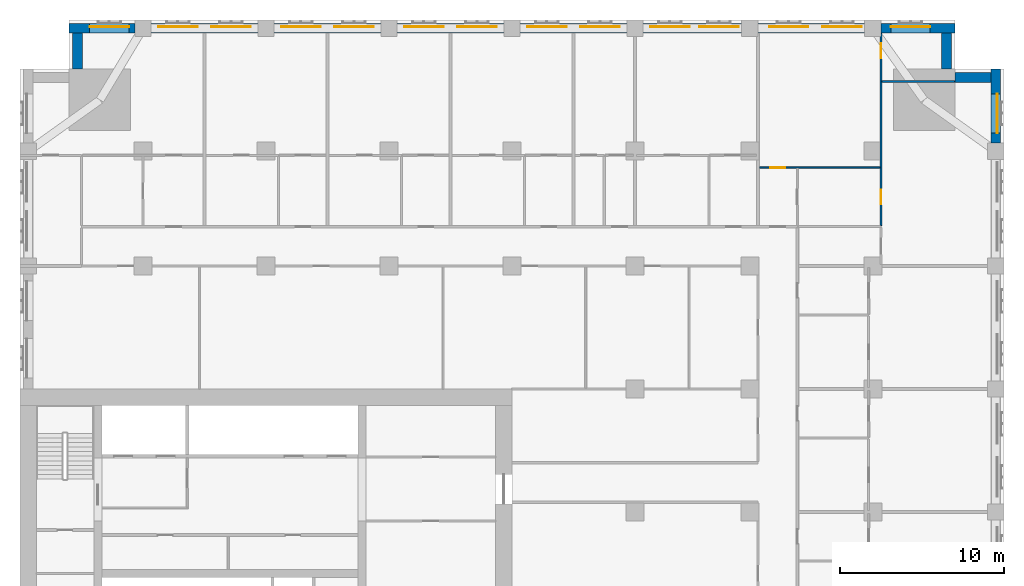
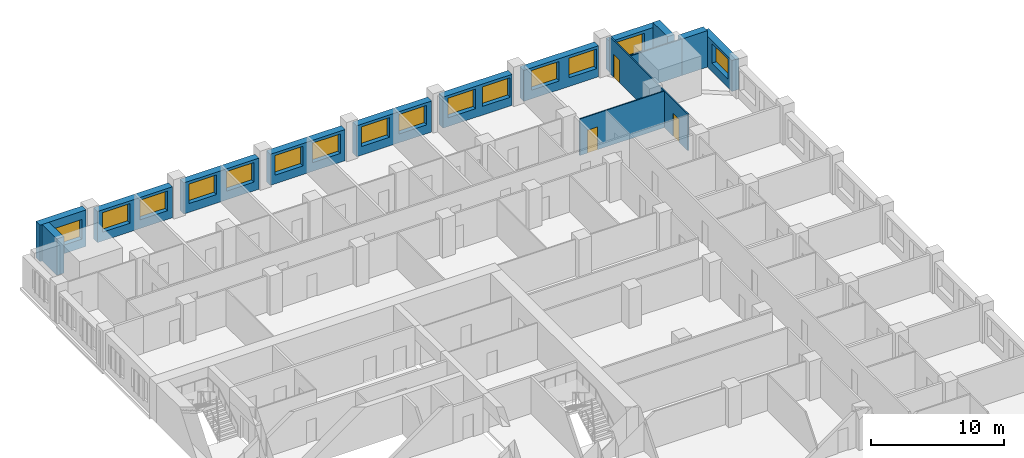
# One storey, part 11 of 14: 15 walls, 15 windows, 3 doors, 18 openings.
"""IFC4 building model written with IfcOpenShell, lengths in metres."""

from ifc_helpers import new_model, si_unit, direction, frame, frame_2d, origin, place, context, subcontext, project, spatial, rectangle, extrude, material, layer, layer_set, type_object, element, fill, save


model = new_model("IFC4")

# Units and contexts
model_context = context("Model", 3, precision=1e-05, world=origin(), true_north=direction((0.0, 1.0)))
body_context = subcontext(model_context, "Body", "Model", "MODEL_VIEW")
ifc_project = project(units=[si_unit("LENGTHUNIT", "METRE"), si_unit("AREAUNIT", "SQUARE_METRE"), si_unit("VOLUMEUNIT", "CUBIC_METRE"), si_unit("PLANEANGLEUNIT", "RADIAN"), si_unit("MASSUNIT", "GRAM", prefix="KILO")], contexts=[model_context])

# Site, building, storey
site_placement = place(None, origin())
site = spatial("IfcSite", under=ifc_project, at=site_placement, CompositionType="ELEMENT")
building_placement = place(site_placement, origin())
building = spatial("IfcBuilding", under=site, at=building_placement, Name="Tamorin Gate", CompositionType="ELEMENT")
storey_placement = place(building_placement, frame((0.0, 0.0, 100.699951171875)))
storey = spatial("IfcBuildingStorey", under=building, at=storey_placement, Name="L24", CompositionType="ELEMENT", Elevation=100.699951171875)

# Wall, opening, window
ifc_material_1 = material(Name="Precast concrete C40/50", Category="concrete")
ifc_layer_1 = layer(ifc_material_1, 0.60009765625)
ifc_layer_set_1 = layer_set([ifc_layer_1], Name="Precast concrete C40/50")
wall_type_1 = type_object("IfcWallType", Name="Board-marked concrete facade panel 600", PredefinedType="SOLIDWALL", material=ifc_layer_set_1)
wall_1_placement = place(storey_placement, frame((89.5, 97.5, 0.0), z_axis=(0.0, 0.0, 1.0), x_axis=(0.0, 1.0, 0.0)))
wall_1 = element("IfcWall", 1, at=wall_1_placement, inside=storey, type_object=wall_type_1, Name="Facade panel", PredefinedType="SOLIDWALL", context=body_context, shape_type="SweptSolid", body=[
    extrude(rectangle(XDim=4.5, YDim=0.60009765625, at=frame_2d((2.25, 0.0))), origin(), (0.0, 0.0, 1.0), 2.85009765625),
])
opening_1_placement = place(wall_1_placement, frame((0.60009765625, 0.0, 0.800048828125)))
opening_1 = element("IfcOpeningElement", 2, at=opening_1_placement, cuts=wall_1, Name="Opening WN1", PredefinedType="OPENING", context=body_context, shape_type="SweptSolid", body=[
    extrude(rectangle(XDim=2.39990234375, YDim=1.800048828125, at=frame_2d((1.199951171875, 0.89990234375))), frame((0.0, 0.31005859375, 0.0), z_axis=(0.0, -1.0, 0.0), x_axis=(1.0, 0.0, 0.0)), (0.0, 0.0, 1.0), 0.6201171875),
])
ifc_material_2 = material(Name="Clear glass in aluminium frame", Category="aluminium")
window_type = type_object("IfcWindowType", Name="Deep-set window 2400x1800", PartitioningType="SINGLE_PANEL", PredefinedType="WINDOW", material=ifc_material_2)
window_1_placement = place(opening_1_placement, origin())
window_1 = element("IfcWindow", 3, at=window_1_placement, inside=storey, type_object=window_type, Name="Deep-set window", OverallHeight=1.800048828125, OverallWidth=2.39990234375, PartitioningType="SINGLE_PANEL", PredefinedType="WINDOW", context=body_context, shape_type="SweptSolid", body=[
    extrude(rectangle(XDim=2.39990234375, YDim=1.800048828125, at=frame_2d((1.199951171875, 0.89990234375))), frame((0.0, -0.070068359375, 0.0), z_axis=(0.0, -1.0, 0.0), x_axis=(1.0, 0.0, 0.0)), (0.0, 0.0, 1.0), 0.06005859375),
])
fill(opening_1, window_1)

# Walls
for number, where, z_axis, x_axis, name in (
    (4, (89.199951171875, 101.5, 0.0), (0.0, 0.0, 1.0), (-1.0, 0.0, 0.0), "Facade panel"),
    (5, (86.5, 102.0, 0.0), (0.0, 0.0, 1.0), (0.0, 1.0, 0.0), "Facade panel"),
):
    element("IfcWall", number, at=place(storey_placement, frame(where, z_axis=z_axis, x_axis=x_axis)), inside=storey, type_object=wall_type_1, Name=name, PredefinedType="SOLIDWALL", context=body_context, shape_type="SweptSolid", body=[
        extrude(rectangle(XDim=2.199951171875, YDim=0.60009765625, at=frame_2d((1.10009765625, 0.0))), origin(), (0.0, 0.0, 1.0), 3.35009765625),
    ])

# Wall, opening, window
wall_2_placement = place(storey_placement, frame((87.0, 104.5, 0.0), z_axis=(0.0, 0.0, 1.0), x_axis=(-1.0, 0.0, 0.0)))
wall_2 = element("IfcWall", 6, at=wall_2_placement, inside=storey, type_object=wall_type_1, Name="Facade panel", PredefinedType="SOLIDWALL", context=body_context, shape_type="SweptSolid", body=[
    extrude(rectangle(XDim=4.5, YDim=0.60009765625, at=frame_2d((2.25, 0.0))), origin(), (0.0, 0.0, 1.0), 2.85009765625),
])
opening_2_placement = place(wall_2_placement, frame((1.5, 0.0, 0.800048828125)))
opening_2 = element("IfcOpeningElement", 7, at=opening_2_placement, cuts=wall_2, Name="Opening WN1", PredefinedType="OPENING", context=body_context, shape_type="SweptSolid", body=[
    extrude(rectangle(XDim=2.39990234375, YDim=1.800048828125, at=frame_2d((1.199951171875, 0.89990234375))), frame((0.0, 0.31005859375, 0.0), z_axis=(0.0, -1.0, 0.0), x_axis=(1.0, 0.0, 0.0)), (0.0, 0.0, 1.0), 0.6201171875),
])
window_2_placement = place(opening_2_placement, origin())
window_2 = element("IfcWindow", 8, at=window_2_placement, inside=storey, type_object=window_type, Name="Deep-set window", OverallHeight=1.800048828125, OverallWidth=2.39990234375, PartitioningType="SINGLE_PANEL", PredefinedType="WINDOW", context=body_context, shape_type="SweptSolid", body=[
    extrude(rectangle(XDim=2.39990234375, YDim=1.800048828125, at=frame_2d((1.199951171875, 0.89990234375))), frame((0.0, -0.070068359375, 0.0), z_axis=(0.0, -1.0, 0.0), x_axis=(1.0, 0.0, 0.0)), (0.0, 0.0, 1.0), 0.06005859375),
])
fill(opening_2, window_2)

# Wall, openings, windows
wall_3_placement = place(storey_placement, frame((81.5, 104.5, 0.0), z_axis=(0.0, 0.0, 1.0), x_axis=(-1.0, 0.0, 0.0)))
wall_3 = element("IfcWall", 9, at=wall_3_placement, inside=storey, type_object=wall_type_1, Name="Facade panel", PredefinedType="SOLIDWALL", context=body_context, shape_type="SweptSolid", body=[
    extrude(rectangle(XDim=6.5, YDim=0.60009765625, at=frame_2d((3.25, 0.0))), origin(), (0.0, 0.0, 1.0), 2.85009765625),
])
opening_3_placement = place(wall_3_placement, frame((3.425048828125, 0.0, 0.800048828125)))
opening_3 = element("IfcOpeningElement", 10, at=opening_3_placement, cuts=wall_3, Name="Opening WN1", PredefinedType="OPENING", context=body_context, shape_type="SweptSolid", body=[
    extrude(rectangle(XDim=2.39990234375, YDim=1.800048828125, at=frame_2d((1.199951171875, 0.89990234375))), frame((0.0, 0.31005859375, 0.0), z_axis=(0.0, -1.0, 0.0), x_axis=(1.0, 0.0, 0.0)), (0.0, 0.0, 1.0), 0.6201171875),
])
opening_4_placement = place(wall_3_placement, frame((0.175048828125, 0.0, 0.800048828125)))
opening_4 = element("IfcOpeningElement", 11, at=opening_4_placement, cuts=wall_3, Name="Opening WN1", PredefinedType="OPENING", context=body_context, shape_type="SweptSolid", body=[
    extrude(rectangle(XDim=2.39990234375, YDim=1.800048828125, at=frame_2d((1.199951171875, 0.89990234375))), frame((0.0, 0.31005859375, 0.0), z_axis=(0.0, -1.0, 0.0), x_axis=(1.0, 0.0, 0.0)), (0.0, 0.0, 1.0), 0.6201171875),
])
window_3_placement = place(opening_3_placement, origin())
window_3 = element("IfcWindow", 12, at=window_3_placement, inside=storey, type_object=window_type, Name="Deep-set window", OverallHeight=1.800048828125, OverallWidth=2.39990234375, PartitioningType="SINGLE_PANEL", PredefinedType="WINDOW", context=body_context, shape_type="SweptSolid", body=[
    extrude(rectangle(XDim=2.39990234375, YDim=1.800048828125, at=frame_2d((1.199951171875, 0.89990234375))), frame((0.0, -0.070068359375, 0.0), z_axis=(0.0, -1.0, 0.0), x_axis=(1.0, 0.0, 0.0)), (0.0, 0.0, 1.0), 0.06005859375),
])
fill(opening_3, window_3)
window_4_placement = place(opening_4_placement, origin())
window_4 = element("IfcWindow", 13, at=window_4_placement, inside=storey, type_object=window_type, Name="Deep-set window", OverallHeight=1.800048828125, OverallWidth=2.39990234375, PartitioningType="SINGLE_PANEL", PredefinedType="WINDOW", context=body_context, shape_type="SweptSolid", body=[
    extrude(rectangle(XDim=2.39990234375, YDim=1.800048828125, at=frame_2d((1.199951171875, 0.89990234375))), frame((0.0, -0.070068359375, 0.0), z_axis=(0.0, -1.0, 0.0), x_axis=(1.0, 0.0, 0.0)), (0.0, 0.0, 1.0), 0.06005859375),
])
fill(opening_4, window_4)

wall_4_placement = place(storey_placement, frame((74.0, 104.5, 0.0), z_axis=(0.0, 0.0, 1.0), x_axis=(-1.0, 0.0, 0.0)))
wall_4 = element("IfcWall", 14, at=wall_4_placement, inside=storey, type_object=wall_type_1, Name="Facade panel", PredefinedType="SOLIDWALL", context=body_context, shape_type="SweptSolid", body=[
    extrude(rectangle(XDim=6.0, YDim=0.60009765625, at=frame_2d((3.0, 0.0))), origin(), (0.0, 0.0, 1.0), 2.85009765625),
])
opening_5_placement = place(wall_4_placement, frame((3.175048828125, 0.0, 0.800048828125)))
opening_5 = element("IfcOpeningElement", 15, at=opening_5_placement, cuts=wall_4, Name="Opening WN1", PredefinedType="OPENING", context=body_context, shape_type="SweptSolid", body=[
    extrude(rectangle(XDim=2.39990234375, YDim=1.800048828125, at=frame_2d((1.199951171875, 0.89990234375))), frame((0.0, 0.31005859375, 0.0), z_axis=(0.0, -1.0, 0.0), x_axis=(1.0, 0.0, 0.0)), (0.0, 0.0, 1.0), 0.6201171875),
])
opening_6_placement = place(wall_4_placement, frame((0.175048828125, 0.0, 0.800048828125)))
opening_6 = element("IfcOpeningElement", 16, at=opening_6_placement, cuts=wall_4, Name="Opening WN1", PredefinedType="OPENING", context=body_context, shape_type="SweptSolid", body=[
    extrude(rectangle(XDim=2.39990234375, YDim=1.800048828125, at=frame_2d((1.199951171875, 0.89990234375))), frame((0.0, 0.31005859375, 0.0), z_axis=(0.0, -1.0, 0.0), x_axis=(1.0, 0.0, 0.0)), (0.0, 0.0, 1.0), 0.6201171875),
])
window_5_placement = place(opening_5_placement, origin())
window_5 = element("IfcWindow", 17, at=window_5_placement, inside=storey, type_object=window_type, Name="Deep-set window", OverallHeight=1.800048828125, OverallWidth=2.39990234375, PartitioningType="SINGLE_PANEL", PredefinedType="WINDOW", context=body_context, shape_type="SweptSolid", body=[
    extrude(rectangle(XDim=2.39990234375, YDim=1.800048828125, at=frame_2d((1.199951171875, 0.89990234375))), frame((0.0, -0.070068359375, 0.0), z_axis=(0.0, -1.0, 0.0), x_axis=(1.0, 0.0, 0.0)), (0.0, 0.0, 1.0), 0.06005859375),
])
fill(opening_5, window_5)
window_6_placement = place(opening_6_placement, origin())
window_6 = element("IfcWindow", 18, at=window_6_placement, inside=storey, type_object=window_type, Name="Deep-set window", OverallHeight=1.800048828125, OverallWidth=2.39990234375, PartitioningType="SINGLE_PANEL", PredefinedType="WINDOW", context=body_context, shape_type="SweptSolid", body=[
    extrude(rectangle(XDim=2.39990234375, YDim=1.800048828125, at=frame_2d((1.199951171875, 0.89990234375))), frame((0.0, -0.070068359375, 0.0), z_axis=(0.0, -1.0, 0.0), x_axis=(1.0, 0.0, 0.0)), (0.0, 0.0, 1.0), 0.06005859375),
])
fill(opening_6, window_6)

wall_5_placement = place(storey_placement, frame((67.0, 104.5, 0.0), z_axis=(0.0, 0.0, 1.0), x_axis=(-1.0, 0.0, 0.0)))
wall_5 = element("IfcWall", 19, at=wall_5_placement, inside=storey, type_object=wall_type_1, Name="Facade panel", PredefinedType="SOLIDWALL", context=body_context, shape_type="SweptSolid", body=[
    extrude(rectangle(XDim=6.5, YDim=0.60009765625, at=frame_2d((3.25, 0.0))), origin(), (0.0, 0.0, 1.0), 2.85009765625),
])
opening_7_placement = place(wall_5_placement, frame((3.675048828125, 0.0, 0.800048828125)))
opening_7 = element("IfcOpeningElement", 20, at=opening_7_placement, cuts=wall_5, Name="Opening WN1", PredefinedType="OPENING", context=body_context, shape_type="SweptSolid", body=[
    extrude(rectangle(XDim=2.39990234375, YDim=1.800048828125, at=frame_2d((1.199951171875, 0.89990234375))), frame((0.0, 0.31005859375, 0.0), z_axis=(0.0, -1.0, 0.0), x_axis=(1.0, 0.0, 0.0)), (0.0, 0.0, 1.0), 0.6201171875),
])
opening_8_placement = place(wall_5_placement, frame((0.425048828125, 0.0, 0.800048828125)))
opening_8 = element("IfcOpeningElement", 21, at=opening_8_placement, cuts=wall_5, Name="Opening WN1", PredefinedType="OPENING", context=body_context, shape_type="SweptSolid", body=[
    extrude(rectangle(XDim=2.39990234375, YDim=1.800048828125, at=frame_2d((1.199951171875, 0.89990234375))), frame((0.0, 0.31005859375, 0.0), z_axis=(0.0, -1.0, 0.0), x_axis=(1.0, 0.0, 0.0)), (0.0, 0.0, 1.0), 0.6201171875),
])
window_7_placement = place(opening_7_placement, origin())
window_7 = element("IfcWindow", 22, at=window_7_placement, inside=storey, type_object=window_type, Name="Deep-set window", OverallHeight=1.800048828125, OverallWidth=2.39990234375, PartitioningType="SINGLE_PANEL", PredefinedType="WINDOW", context=body_context, shape_type="SweptSolid", body=[
    extrude(rectangle(XDim=2.39990234375, YDim=1.800048828125, at=frame_2d((1.199951171875, 0.89990234375))), frame((0.0, -0.070068359375, 0.0), z_axis=(0.0, -1.0, 0.0), x_axis=(1.0, 0.0, 0.0)), (0.0, 0.0, 1.0), 0.06005859375),
])
fill(opening_7, window_7)
window_8_placement = place(opening_8_placement, origin())
window_8 = element("IfcWindow", 23, at=window_8_placement, inside=storey, type_object=window_type, Name="Deep-set window", OverallHeight=1.800048828125, OverallWidth=2.39990234375, PartitioningType="SINGLE_PANEL", PredefinedType="WINDOW", context=body_context, shape_type="SweptSolid", body=[
    extrude(rectangle(XDim=2.39990234375, YDim=1.800048828125, at=frame_2d((1.199951171875, 0.89990234375))), frame((0.0, -0.070068359375, 0.0), z_axis=(0.0, -1.0, 0.0), x_axis=(1.0, 0.0, 0.0)), (0.0, 0.0, 1.0), 0.06005859375),
])
fill(opening_8, window_8)

wall_6_placement = place(storey_placement, frame((59.5, 104.5, 0.0), z_axis=(0.0, 0.0, 1.0), x_axis=(-1.0, 0.0, 0.0)))
wall_6 = element("IfcWall", 24, at=wall_6_placement, inside=storey, type_object=wall_type_1, Name="Facade panel", PredefinedType="SOLIDWALL", context=body_context, shape_type="SweptSolid", body=[
    extrude(rectangle(XDim=6.5, YDim=0.60009765625, at=frame_2d((3.25, 0.0))), origin(), (0.0, 0.0, 1.0), 2.85009765625),
])
opening_9_placement = place(wall_6_placement, frame((3.675048828125, 0.0, 0.800048828125)))
opening_9 = element("IfcOpeningElement", 25, at=opening_9_placement, cuts=wall_6, Name="Opening WN1", PredefinedType="OPENING", context=body_context, shape_type="SweptSolid", body=[
    extrude(rectangle(XDim=2.39990234375, YDim=1.800048828125, at=frame_2d((1.199951171875, 0.89990234375))), frame((0.0, 0.31005859375, 0.0), z_axis=(0.0, -1.0, 0.0), x_axis=(1.0, 0.0, 0.0)), (0.0, 0.0, 1.0), 0.6201171875),
])
opening_10_placement = place(wall_6_placement, frame((0.425048828125, 0.0, 0.800048828125)))
opening_10 = element("IfcOpeningElement", 26, at=opening_10_placement, cuts=wall_6, Name="Opening WN1", PredefinedType="OPENING", context=body_context, shape_type="SweptSolid", body=[
    extrude(rectangle(XDim=2.39990234375, YDim=1.800048828125, at=frame_2d((1.199951171875, 0.89990234375))), frame((0.0, 0.31005859375, 0.0), z_axis=(0.0, -1.0, 0.0), x_axis=(1.0, 0.0, 0.0)), (0.0, 0.0, 1.0), 0.6201171875),
])
window_9_placement = place(opening_9_placement, origin())
window_9 = element("IfcWindow", 27, at=window_9_placement, inside=storey, type_object=window_type, Name="Deep-set window", OverallHeight=1.800048828125, OverallWidth=2.39990234375, PartitioningType="SINGLE_PANEL", PredefinedType="WINDOW", context=body_context, shape_type="SweptSolid", body=[
    extrude(rectangle(XDim=2.39990234375, YDim=1.800048828125, at=frame_2d((1.199951171875, 0.89990234375))), frame((0.0, -0.070068359375, 0.0), z_axis=(0.0, -1.0, 0.0), x_axis=(1.0, 0.0, 0.0)), (0.0, 0.0, 1.0), 0.06005859375),
])
fill(opening_9, window_9)
window_10_placement = place(opening_10_placement, origin())
window_10 = element("IfcWindow", 28, at=window_10_placement, inside=storey, type_object=window_type, Name="Deep-set window", OverallHeight=1.800048828125, OverallWidth=2.39990234375, PartitioningType="SINGLE_PANEL", PredefinedType="WINDOW", context=body_context, shape_type="SweptSolid", body=[
    extrude(rectangle(XDim=2.39990234375, YDim=1.800048828125, at=frame_2d((1.199951171875, 0.89990234375))), frame((0.0, -0.070068359375, 0.0), z_axis=(0.0, -1.0, 0.0), x_axis=(1.0, 0.0, 0.0)), (0.0, 0.0, 1.0), 0.06005859375),
])
fill(opening_10, window_10)

wall_7_placement = place(storey_placement, frame((52.0, 104.5, 0.0), z_axis=(0.0, 0.0, 1.0), x_axis=(-1.0, 0.0, 0.0)))
wall_7 = element("IfcWall", 29, at=wall_7_placement, inside=storey, type_object=wall_type_1, Name="Facade panel", PredefinedType="SOLIDWALL", context=body_context, shape_type="SweptSolid", body=[
    extrude(rectangle(XDim=6.5, YDim=0.60009765625, at=frame_2d((3.25, 0.0))), origin(), (0.0, 0.0, 1.0), 2.85009765625),
])
opening_11_placement = place(wall_7_placement, frame((3.675048828125, 0.0, 0.800048828125)))
opening_11 = element("IfcOpeningElement", 30, at=opening_11_placement, cuts=wall_7, Name="Opening WN1", PredefinedType="OPENING", context=body_context, shape_type="SweptSolid", body=[
    extrude(rectangle(XDim=2.39990234375, YDim=1.800048828125, at=frame_2d((1.199951171875, 0.89990234375))), frame((0.0, 0.31005859375, 0.0), z_axis=(0.0, -1.0, 0.0), x_axis=(1.0, 0.0, 0.0)), (0.0, 0.0, 1.0), 0.6201171875),
])
opening_12_placement = place(wall_7_placement, frame((0.425048828125, 0.0, 0.800048828125)))
opening_12 = element("IfcOpeningElement", 31, at=opening_12_placement, cuts=wall_7, Name="Opening WN1", PredefinedType="OPENING", context=body_context, shape_type="SweptSolid", body=[
    extrude(rectangle(XDim=2.39990234375, YDim=1.800048828125, at=frame_2d((1.199951171875, 0.89990234375))), frame((0.0, 0.31005859375, 0.0), z_axis=(0.0, -1.0, 0.0), x_axis=(1.0, 0.0, 0.0)), (0.0, 0.0, 1.0), 0.6201171875),
])
window_11_placement = place(opening_11_placement, origin())
window_11 = element("IfcWindow", 32, at=window_11_placement, inside=storey, type_object=window_type, Name="Deep-set window", OverallHeight=1.800048828125, OverallWidth=2.39990234375, PartitioningType="SINGLE_PANEL", PredefinedType="WINDOW", context=body_context, shape_type="SweptSolid", body=[
    extrude(rectangle(XDim=2.39990234375, YDim=1.800048828125, at=frame_2d((1.199951171875, 0.89990234375))), frame((0.0, -0.070068359375, 0.0), z_axis=(0.0, -1.0, 0.0), x_axis=(1.0, 0.0, 0.0)), (0.0, 0.0, 1.0), 0.06005859375),
])
fill(opening_11, window_11)
window_12_placement = place(opening_12_placement, origin())
window_12 = element("IfcWindow", 33, at=window_12_placement, inside=storey, type_object=window_type, Name="Deep-set window", OverallHeight=1.800048828125, OverallWidth=2.39990234375, PartitioningType="SINGLE_PANEL", PredefinedType="WINDOW", context=body_context, shape_type="SweptSolid", body=[
    extrude(rectangle(XDim=2.39990234375, YDim=1.800048828125, at=frame_2d((1.199951171875, 0.89990234375))), frame((0.0, -0.070068359375, 0.0), z_axis=(0.0, -1.0, 0.0), x_axis=(1.0, 0.0, 0.0)), (0.0, 0.0, 1.0), 0.06005859375),
])
fill(opening_12, window_12)

wall_8_placement = place(storey_placement, frame((44.5, 104.5, 0.0), z_axis=(0.0, 0.0, 1.0), x_axis=(-1.0, 0.0, 0.0)))
wall_8 = element("IfcWall", 34, at=wall_8_placement, inside=storey, type_object=wall_type_1, Name="Facade panel", PredefinedType="SOLIDWALL", context=body_context, shape_type="SweptSolid", body=[
    extrude(rectangle(XDim=6.5, YDim=0.60009765625, at=frame_2d((3.25, 0.0))), origin(), (0.0, 0.0, 1.0), 2.85009765625),
])
opening_13_placement = place(wall_8_placement, frame((3.675048828125, 0.0, 0.800048828125)))
opening_13 = element("IfcOpeningElement", 35, at=opening_13_placement, cuts=wall_8, Name="Opening WN1", PredefinedType="OPENING", context=body_context, shape_type="SweptSolid", body=[
    extrude(rectangle(XDim=2.39990234375, YDim=1.800048828125, at=frame_2d((1.199951171875, 0.89990234375))), frame((0.0, 0.31005859375, 0.0), z_axis=(0.0, -1.0, 0.0), x_axis=(1.0, 0.0, 0.0)), (0.0, 0.0, 1.0), 0.6201171875),
])
opening_14_placement = place(wall_8_placement, frame((0.425048828125, 0.0, 0.800048828125)))
opening_14 = element("IfcOpeningElement", 36, at=opening_14_placement, cuts=wall_8, Name="Opening WN1", PredefinedType="OPENING", context=body_context, shape_type="SweptSolid", body=[
    extrude(rectangle(XDim=2.39990234375, YDim=1.800048828125, at=frame_2d((1.199951171875, 0.89990234375))), frame((0.0, 0.31005859375, 0.0), z_axis=(0.0, -1.0, 0.0), x_axis=(1.0, 0.0, 0.0)), (0.0, 0.0, 1.0), 0.6201171875),
])
window_13_placement = place(opening_13_placement, origin())
window_13 = element("IfcWindow", 37, at=window_13_placement, inside=storey, type_object=window_type, Name="Deep-set window", OverallHeight=1.800048828125, OverallWidth=2.39990234375, PartitioningType="SINGLE_PANEL", PredefinedType="WINDOW", context=body_context, shape_type="SweptSolid", body=[
    extrude(rectangle(XDim=2.39990234375, YDim=1.800048828125, at=frame_2d((1.199951171875, 0.89990234375))), frame((0.0, -0.070068359375, 0.0), z_axis=(0.0, -1.0, 0.0), x_axis=(1.0, 0.0, 0.0)), (0.0, 0.0, 1.0), 0.06005859375),
])
fill(opening_13, window_13)
window_14_placement = place(opening_14_placement, origin())
window_14 = element("IfcWindow", 38, at=window_14_placement, inside=storey, type_object=window_type, Name="Deep-set window", OverallHeight=1.800048828125, OverallWidth=2.39990234375, PartitioningType="SINGLE_PANEL", PredefinedType="WINDOW", context=body_context, shape_type="SweptSolid", body=[
    extrude(rectangle(XDim=2.39990234375, YDim=1.800048828125, at=frame_2d((1.199951171875, 0.89990234375))), frame((0.0, -0.070068359375, 0.0), z_axis=(0.0, -1.0, 0.0), x_axis=(1.0, 0.0, 0.0)), (0.0, 0.0, 1.0), 0.06005859375),
])
fill(opening_14, window_14)

# Wall, opening, window
wall_9_placement = place(storey_placement, frame((37.0, 104.5, 0.0), z_axis=(0.0, 0.0, 1.0), x_axis=(-1.0, 0.0, 0.0)))
wall_9 = element("IfcWall", 39, at=wall_9_placement, inside=storey, type_object=wall_type_1, Name="Facade panel", PredefinedType="SOLIDWALL", context=body_context, shape_type="SweptSolid", body=[
    extrude(rectangle(XDim=4.0, YDim=0.60009765625, at=frame_2d((2.0, 0.0))), origin(), (0.0, 0.0, 1.0), 3.35009765625),
])
opening_15_placement = place(wall_9_placement, frame((0.35009765625, 0.0, 0.800048828125)))
opening_15 = element("IfcOpeningElement", 40, at=opening_15_placement, cuts=wall_9, Name="Opening WN1", PredefinedType="OPENING", context=body_context, shape_type="SweptSolid", body=[
    extrude(rectangle(XDim=2.39990234375, YDim=1.800048828125, at=frame_2d((1.199951171875, 0.89990234375))), frame((0.0, 0.31005859375, 0.0), z_axis=(0.0, -1.0, 0.0), x_axis=(1.0, 0.0, 0.0)), (0.0, 0.0, 1.0), 0.6201171875),
])
window_15_placement = place(opening_15_placement, origin())
window_15 = element("IfcWindow", 41, at=window_15_placement, inside=storey, type_object=window_type, Name="Deep-set window", OverallHeight=1.800048828125, OverallWidth=2.39990234375, PartitioningType="SINGLE_PANEL", PredefinedType="WINDOW", context=body_context, shape_type="SweptSolid", body=[
    extrude(rectangle(XDim=2.39990234375, YDim=1.800048828125, at=frame_2d((1.199951171875, 0.89990234375))), frame((0.0, -0.070068359375, 0.0), z_axis=(0.0, -1.0, 0.0), x_axis=(1.0, 0.0, 0.0)), (0.0, 0.0, 1.0), 0.06005859375),
])
fill(opening_15, window_15)

# Wall
wall_10_placement = place(storey_placement, frame((33.5, 104.199951171875, 0.0), z_axis=(0.0, 0.0, 1.0), x_axis=(0.0, -1.0, 0.0)))
element("IfcWall", 42, at=wall_10_placement, inside=storey, type_object=wall_type_1, Name="Facade panel", PredefinedType="SOLIDWALL", context=body_context, shape_type="SweptSolid", body=[
    extrude(rectangle(XDim=2.199951171875, YDim=0.60009765625, at=frame_2d((1.10009765625, 0.0))), origin(), (0.0, 0.0, 1.0), 3.35009765625),
])

# Wall, opening, door
ifc_material_3 = material(Name="Gypsum board partition")
ifc_layer_2 = layer(ifc_material_3, 0.10009765625)
ifc_layer_set_2 = layer_set([ifc_layer_2], Name="Room partition 100")
wall_type_2 = type_object("IfcWallType", Name="Room partition 100", PredefinedType="PARTITIONING", material=ifc_layer_set_2)
wall_11_placement = place(storey_placement, frame((75.10009765625, 96.0, 0.0), z_axis=(0.0, 0.0, 1.0), x_axis=(1.0, 0.0, 0.0)))
wall_11 = element("IfcWall", 43, at=wall_11_placement, inside=storey, type_object=wall_type_2, Name="Room partition 100", PredefinedType="PARTITIONING", context=body_context, shape_type="SweptSolid", body=[
    extrude(rectangle(XDim=7.349853515625, YDim=0.10009765625, at=frame_2d((3.6748046875, 0.0))), origin(), (0.0, 0.0, 1.0), 3.35009765625),
])
opening_16_placement = place(wall_11_placement, frame((0.64990234375, 0.0, 0.0)))
opening_16 = element("IfcOpeningElement", 44, at=opening_16_placement, cuts=wall_11, Name="Opening DH7061", PredefinedType="OPENING", context=body_context, shape_type="SweptSolid", body=[
    extrude(rectangle(XDim=0.89990234375, YDim=2.10009765625, at=frame_2d((0.449951171875, 1.050048828125))), frame((0.0, 0.06005859375, 0.0), z_axis=(0.0, -1.0, 0.0), x_axis=(1.0, 0.0, 0.0)), (0.0, 0.0, 1.0), 0.1201171875),
])
ifc_material_4 = material(Name="Timber door leaf", Category="wood")
door_type = type_object("IfcDoorType", Name="Door 900 x 2100", OperationType="NOTDEFINED", PredefinedType="DOOR", material=ifc_material_4)
door_1_placement = place(opening_16_placement, origin())
door_1 = element("IfcDoor", 45, at=door_1_placement, inside=storey, type_object=door_type, Name="Door DH7061", OperationType="SINGLE_SWING_LEFT", OverallHeight=2.10009765625, OverallWidth=0.89990234375, PredefinedType="DOOR", context=body_context, shape_type="SweptSolid", body=[
    extrude(rectangle(XDim=0.89990234375, YDim=2.10009765625, at=frame_2d((0.449951171875, 1.050048828125))), frame((0.0, 0.02490234375, 0.0), z_axis=(0.0, -1.0, 0.0), x_axis=(1.0, 0.0, 0.0)), (0.0, 0.0, 1.0), 0.050048828125),
])
fill(opening_16, door_1)

# Wall
wall_12_placement = place(storey_placement, frame((82.550048828125, 101.25, 0.0), z_axis=(0.0, 0.0, 1.0), x_axis=(1.0, 0.0, 0.0)))
element("IfcWall", 46, at=wall_12_placement, inside=storey, type_object=wall_type_2, Name="Room partition 100", PredefinedType="PARTITIONING", context=body_context, shape_type="SweptSolid", body=[
    extrude(rectangle(XDim=4.43994140625, YDim=0.10009765625, at=frame_2d((2.219970703125, 0.0))), origin(), (0.0, 0.0, 1.0), 3.35009765625),
])

# Wall, openings, doors
wall_13_placement = place(storey_placement, frame((82.5, 92.46240234375, 0.0), z_axis=(0.0, 0.0, 1.0), x_axis=(0.0, 1.0, 0.0)))
wall_13 = element("IfcWall", 47, at=wall_13_placement, inside=storey, type_object=wall_type_2, Name="Room partition 100", PredefinedType="PARTITIONING", context=body_context, shape_type="SweptSolid", body=[
    extrude(rectangle(XDim=11.7275390625, YDim=0.10009765625, at=frame_2d((5.86376953125, 0.0))), origin(), (0.0, 0.0, 1.0), 3.35009765625),
])
opening_17_placement = place(wall_13_placement, frame((10.21240234375, 0.0, 0.0)))
opening_17 = element("IfcOpeningElement", 48, at=opening_17_placement, cuts=wall_13, Name="Opening DH7063", PredefinedType="OPENING", context=body_context, shape_type="SweptSolid", body=[
    extrude(rectangle(XDim=0.89990234375, YDim=2.10009765625, at=frame_2d((0.449951171875, 1.050048828125))), frame((0.0, 0.06005859375, 0.0), z_axis=(0.0, -1.0, 0.0), x_axis=(1.0, 0.0, 0.0)), (0.0, 0.0, 1.0), 0.1201171875),
])
opening_18_placement = place(wall_13_placement, frame((1.28759765625, 0.0, 0.0)))
opening_18 = element("IfcOpeningElement", 49, at=opening_18_placement, cuts=wall_13, Name="Opening DH7064", PredefinedType="OPENING", context=body_context, shape_type="SweptSolid", body=[
    extrude(rectangle(XDim=0.89990234375, YDim=2.10009765625, at=frame_2d((0.449951171875, 1.050048828125))), frame((0.0, 0.06005859375, 0.0), z_axis=(0.0, -1.0, 0.0), x_axis=(1.0, 0.0, 0.0)), (0.0, 0.0, 1.0), 0.1201171875),
])
door_2_placement = place(opening_17_placement, origin())
door_2 = element("IfcDoor", 50, at=door_2_placement, inside=storey, type_object=door_type, Name="Door DH7063", OperationType="SINGLE_SWING_LEFT", OverallHeight=2.10009765625, OverallWidth=0.89990234375, PredefinedType="DOOR", context=body_context, shape_type="SweptSolid", body=[
    extrude(rectangle(XDim=0.89990234375, YDim=2.10009765625, at=frame_2d((0.449951171875, 1.050048828125))), frame((0.0, 0.02490234375, 0.0), z_axis=(0.0, -1.0, 0.0), x_axis=(1.0, 0.0, 0.0)), (0.0, 0.0, 1.0), 0.050048828125),
])
fill(opening_17, door_2)
door_3_placement = place(opening_18_placement, origin())
door_3 = element("IfcDoor", 51, at=door_3_placement, inside=storey, type_object=door_type, Name="Door DH7064", OperationType="SINGLE_SWING_RIGHT", OverallHeight=2.10009765625, OverallWidth=0.89990234375, PredefinedType="DOOR", context=body_context, shape_type="SweptSolid", body=[
    extrude(rectangle(XDim=0.89990234375, YDim=2.10009765625, at=frame_2d((0.449951171875, 1.050048828125))), frame((0.0, 0.02490234375, 0.0), z_axis=(0.0, -1.0, 0.0), x_axis=(1.0, 0.0, 0.0)), (0.0, 0.0, 1.0), 0.050048828125),
])
fill(opening_18, door_3)

save(model, "model.ifc")
